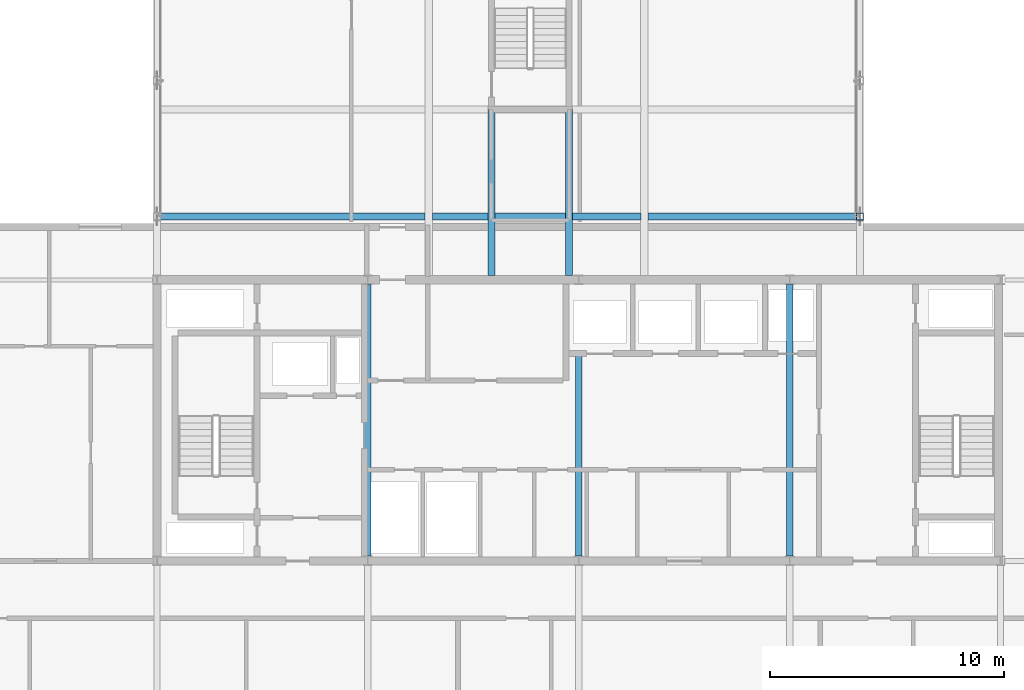
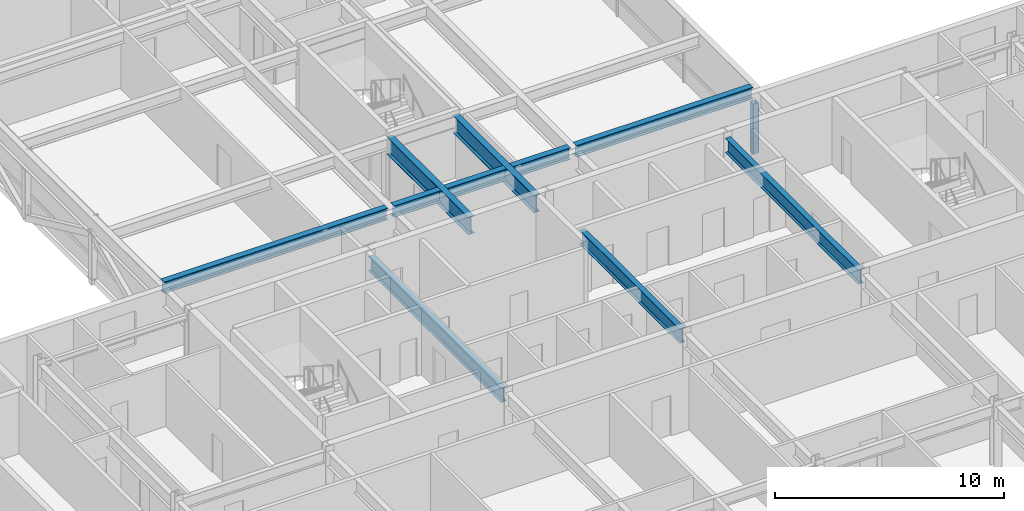
# One storey, part 7 of 36: 10 beams, 1 member.
"""IFC4 building model written with IfcOpenShell, lengths in metres."""

from ifc_helpers import new_model, si_unit, direction, frame, origin, origin_2d, place, context, subcontext, project, spatial, hollow_rectangle, i_section, extrude, material, material_profile, profile_set, type_object, element, save


model = new_model("IFC4")

# Units and contexts
model_context = context("Model", 3, precision=1e-05, world=origin(), true_north=direction((0.0, 1.0)))
body_context = subcontext(model_context, "Body", "Model", "MODEL_VIEW")
ifc_project = project(units=[si_unit("LENGTHUNIT", "METRE"), si_unit("AREAUNIT", "SQUARE_METRE"), si_unit("VOLUMEUNIT", "CUBIC_METRE"), si_unit("PLANEANGLEUNIT", "RADIAN"), si_unit("MASSUNIT", "GRAM", prefix="KILO")], contexts=[model_context])

# Site, building, storey
site_placement = place(None, origin())
site = spatial("IfcSite", under=ifc_project, at=site_placement, CompositionType="ELEMENT")
building_placement = place(site_placement, origin())
building = spatial("IfcBuilding", under=site, at=building_placement, Name="Korimba Cascade Residences", CompositionType="ELEMENT")
storey_placement = place(building_placement, frame((0.0, 0.0, 146.5)))
storey = spatial("IfcBuildingStorey", under=building, at=storey_placement, Name="L42", CompositionType="ELEMENT", Elevation=146.5)

# Beams
ifc_material_1 = material(Name="Steel S355", Category="steel")
ifc_material_profile_1 = material_profile(ifc_material_1, i_section(OverallWidth=0.30712890625, OverallDepth=0.6201171875, WebThickness=0.01416015625, FlangeThickness=0.023681640625, FilletRadius=0.0166015625, at=origin_2d()), Name="Steel S355")
ifc_profile_set_1 = profile_set([ifc_material_profile_1], Name="Steel S355")
beam_type_1 = type_object("IfcBeamType", Name="BM-STL-UB610A", PredefinedType="BEAM", material=ifc_profile_set_1)
beam_1_placement = place(storey_placement, frame((82.251953125, 33.10009765625, 3.0), z_axis=(1.0, 0.0, 0.0), x_axis=(0.0, 1.0, 0.0)))
element("IfcBeam", 1, at=beam_1_placement, inside=storey, type_object=beam_type_1, Name="L42 Mid-Bridge Cross Beam 33.1", PredefinedType="BEAM", context=body_context, shape_type="SweptSolid", body=[
    extrude(i_section(OverallWidth=0.30712890625, OverallDepth=0.6201171875, WebThickness=0.01416015625, FlangeThickness=0.023681640625, FilletRadius=0.0166015625, at=origin_2d()), origin(), (0.0, 0.0, 1.0), 11.296142578125),
])
beam_2_placement = place(storey_placement, frame((93.85205078125, 33.10009765625, 3.0), z_axis=(1.0, 0.0, 0.0), x_axis=(0.0, 1.0, 0.0)))
element("IfcBeam", 2, at=beam_2_placement, inside=storey, type_object=beam_type_1, Name="L42 Mid-Bridge Cross Beam 33.2", PredefinedType="BEAM", context=body_context, shape_type="SweptSolid", body=[
    extrude(i_section(OverallWidth=0.30712890625, OverallDepth=0.6201171875, WebThickness=0.01416015625, FlangeThickness=0.023681640625, FilletRadius=0.0166015625, at=origin_2d()), origin(), (0.0, 0.0, 1.0), 2.370849609375),
])
beam_3_placement = place(storey_placement, frame((96.527099609375, 33.10009765625, 3.0), z_axis=(1.0, 0.0, 0.0), x_axis=(0.0, 1.0, 0.0)))
element("IfcBeam", 3, at=beam_3_placement, inside=storey, type_object=beam_type_1, Name="L42 Mid-Bridge Cross Beam 33.3", PredefinedType="BEAM", context=body_context, shape_type="SweptSolid", body=[
    extrude(i_section(OverallWidth=0.30712890625, OverallDepth=0.6201171875, WebThickness=0.01416015625, FlangeThickness=0.023681640625, FilletRadius=0.0166015625, at=origin_2d()), origin(), (0.0, 0.0, 1.0), 3.005859375),
])
beam_4_placement = place(storey_placement, frame((99.8369140625, 33.10009765625, 3.0), z_axis=(1.0, 0.0, 0.0), x_axis=(0.0, 1.0, 0.0)))
element("IfcBeam", 4, at=beam_4_placement, inside=storey, type_object=beam_type_1, Name="L42 Mid-Bridge Cross Beam 33.4", PredefinedType="BEAM", context=body_context, shape_type="SweptSolid", body=[
    extrude(i_section(OverallWidth=0.30712890625, OverallDepth=0.6201171875, WebThickness=0.01416015625, FlangeThickness=0.023681640625, FilletRadius=0.0166015625, at=origin_2d()), origin(), (0.0, 0.0, 1.0), 2.9111328125),
])
beam_5_placement = place(storey_placement, frame((103.052001953125, 33.10009765625, 3.0), z_axis=(1.0, 0.0, 0.0), x_axis=(0.0, 1.0, 0.0)))
element("IfcBeam", 5, at=beam_5_placement, inside=storey, type_object=beam_type_1, Name="L42 Mid-Bridge Cross Beam 33.5", PredefinedType="BEAM", context=body_context, shape_type="SweptSolid", body=[
    extrude(i_section(OverallWidth=0.30712890625, OverallDepth=0.6201171875, WebThickness=0.01416015625, FlangeThickness=0.023681640625, FilletRadius=0.0166015625, at=origin_2d()), origin(), (0.0, 0.0, 1.0), 8.89599609375),
])
ifc_material_profile_2 = material_profile(ifc_material_1, i_section(OverallWidth=0.26806640625, OverallDepth=0.769775390625, WebThickness=0.015625, FlangeThickness=0.025390625, FilletRadius=0.0166015625, at=origin_2d()), Name="Steel S355")
ifc_profile_set_2 = profile_set([ifc_material_profile_2], Name="Steel S355")
beam_type_2 = type_object("IfcBeamType", Name="BM-STL-UB762", PredefinedType="BEAM", material=ifc_profile_set_2)
beam_6_placement = place(storey_placement, frame((91.10009765625, 18.603271484375, 2.925048828125), z_axis=(0.0, 1.0, 0.0), x_axis=(-1.0, 0.0, 0.0)))
element("IfcBeam", 6, at=beam_6_placement, inside=storey, type_object=beam_type_2, Name="L42 T2 N-S Girder X3 Seg 3", PredefinedType="BEAM", context=body_context, shape_type="SweptSolid", body=[
    extrude(i_section(OverallWidth=0.26806640625, OverallDepth=0.769775390625, WebThickness=0.015625, FlangeThickness=0.025390625, FilletRadius=0.0166015625, at=origin_2d()), origin(), (0.0, 0.0, 1.0), 11.593505859375),
])
beam_7_placement = place(storey_placement, frame((100.10009765625, 18.603271484375, 2.925048828125), z_axis=(0.0, 1.0, 0.0), x_axis=(-1.0, 0.0, 0.0)))
element("IfcBeam", 7, at=beam_7_placement, inside=storey, type_object=beam_type_2, Name="L42 T2 N-S Girder X4 Seg 3", PredefinedType="BEAM", context=body_context, shape_type="SweptSolid", body=[
    extrude(i_section(OverallWidth=0.26806640625, OverallDepth=0.769775390625, WebThickness=0.015625, FlangeThickness=0.025390625, FilletRadius=0.0166015625, at=origin_2d()), origin(), (0.0, 0.0, 1.0), 8.73681640625),
])
beam_8_placement = place(storey_placement, frame((109.10009765625, 18.603271484375, 2.925048828125), z_axis=(0.0, 1.0, 0.0), x_axis=(-1.0, 0.0, 0.0)))
element("IfcBeam", 8, at=beam_8_placement, inside=storey, type_object=beam_type_2, Name="L42 T2 N-S Girder X5 Seg 3", PredefinedType="BEAM", context=body_context, shape_type="SweptSolid", body=[
    extrude(i_section(OverallWidth=0.26806640625, OverallDepth=0.769775390625, WebThickness=0.015625, FlangeThickness=0.025390625, FilletRadius=0.0166015625, at=origin_2d()), origin(), (0.0, 0.0, 1.0), 11.593505859375),
])
ifc_material_2 = material(Name="Steel S460", Category="steel")
ifc_material_profile_3 = material_profile(ifc_material_2, i_section(OverallWidth=0.3076171875, OverallDepth=0.926513671875, WebThickness=0.01953125, FlangeThickness=0.031982421875, FilletRadius=0.01904296875, at=origin_2d()), Name="Steel S460")
ifc_profile_set_3 = profile_set([ifc_material_profile_3], Name="Steel S460")
beam_type_3 = type_object("IfcBeamType", Name="BM-STL-UB914B", PredefinedType="BEAM", material=ifc_profile_set_3)
for number, where, z_axis, x_axis, name in (
    (9, (96.375, 30.574951171875, 2.8466796875), (0.0, 1.0, 0.0), (-1.0, 0.0, 0.0), "L42 Rigid Mid-Bridge Truss Chord 3"),
    (10, (99.68505859375, 30.574951171875, 2.8466796875), (0.0, 1.0, 0.0), (-1.0, 0.0, 0.0), "L42 Rigid Mid-Bridge Truss Chord 4"),
):
    element("IfcBeam", number, at=place(storey_placement, frame(where, z_axis=z_axis, x_axis=x_axis)), inside=storey, type_object=beam_type_3, Name=name, PredefinedType="BEAM", context=body_context, shape_type="SweptSolid", body=[
        extrude(i_section(OverallWidth=0.3076171875, OverallDepth=0.926513671875, WebThickness=0.01953125, FlangeThickness=0.031982421875, FilletRadius=0.01904296875, at=origin_2d()), origin(), (0.0, 0.0, 1.0), 7.10009765625),
    ])

# Member
ifc_material_profile_4 = material_profile(ifc_material_2, hollow_rectangle(XDim=0.300048828125, YDim=0.300048828125, WallThickness=0.012451171875, InnerFilletRadius=0.012451171875, OuterFilletRadius=0.02490234375, at=origin_2d()), Name="Steel S460")
ifc_profile_set_4 = profile_set([ifc_material_profile_4], Name="Steel S460")
member_type = type_object("IfcMemberType", Name="MEM-BRG-STR300", PredefinedType="STRUT", material=ifc_profile_set_4)
member_placement = place(storey_placement, frame((112.10009765625, 33.10009765625, -0.2900390625), z_axis=(0.0, 0.0, 1.0), x_axis=(1.0, 0.0, 0.0)))
element("IfcMember", 11, at=member_placement, inside=storey, type_object=member_type, Name="L42 Mid-Bridge Warren Web Post E1", PredefinedType="STRUT", context=body_context, shape_type="SweptSolid", body=[
    extrude(hollow_rectangle(XDim=0.300048828125, YDim=0.300048828125, WallThickness=0.012451171875, InnerFilletRadius=0.012451171875, OuterFilletRadius=0.02490234375, at=origin_2d()), origin(), (0.0, 0.0, 1.0), 2.67333984375),
])

save(model, "model.ifc")
